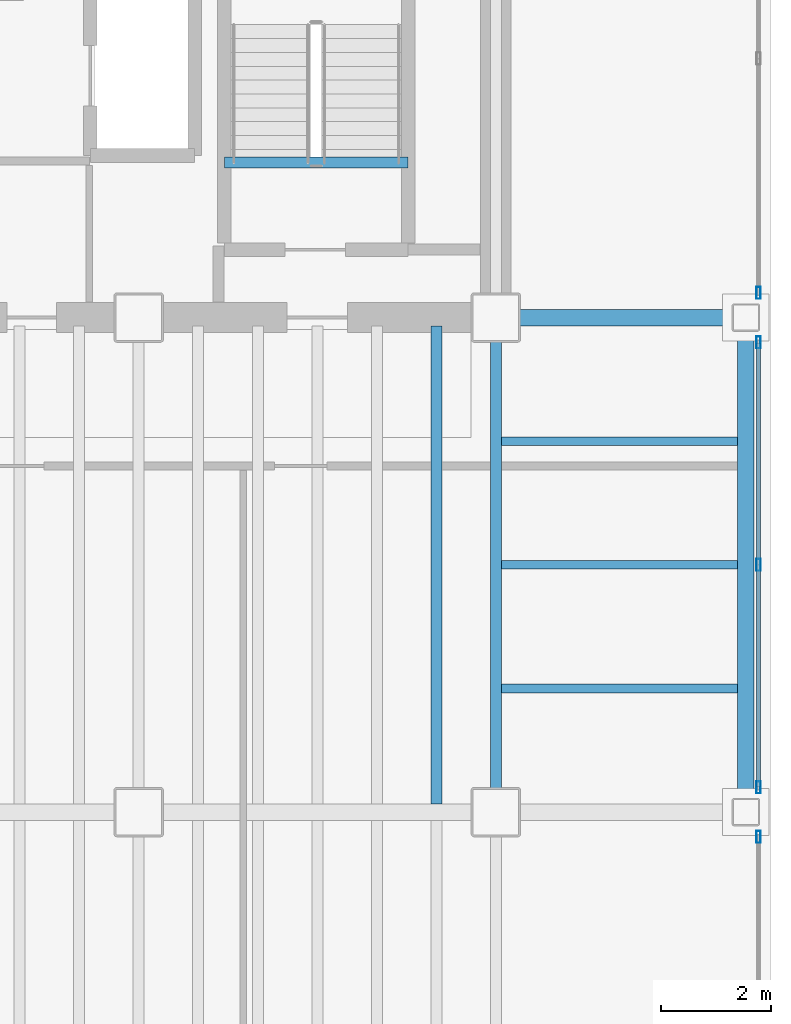
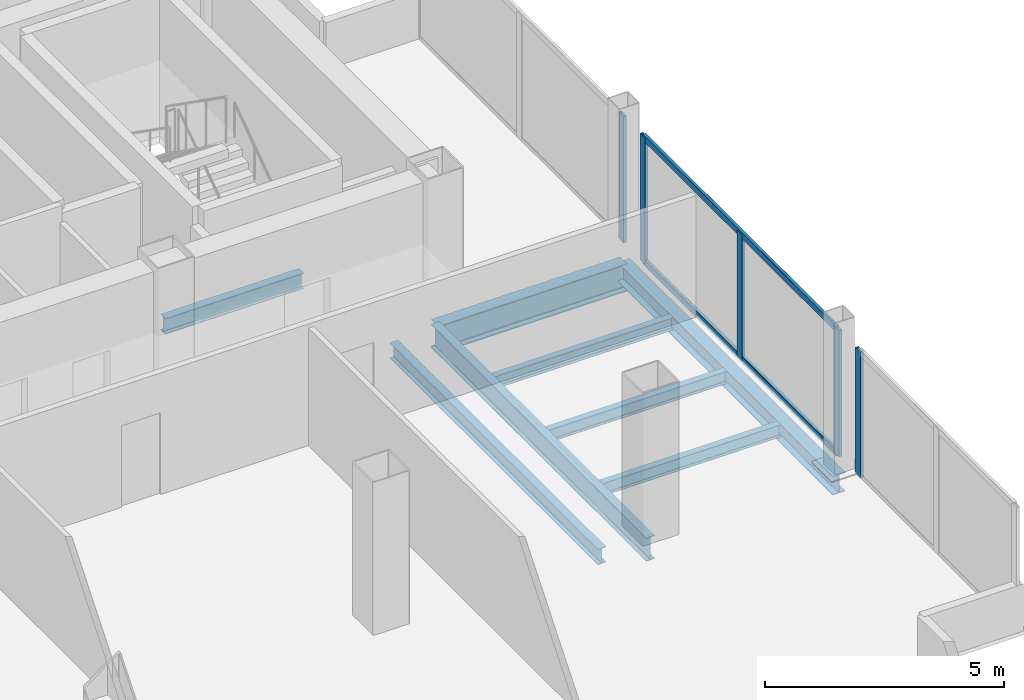
# One storey, part 15 of 20: 8 beams, 7 members, 3 elements without a shape of their own.
"""IFC4 building model written with IfcOpenShell, lengths in metres."""

from ifc_helpers import new_model, si_unit, direction, frame, origin, origin_2d, place, context, subcontext, project, spatial, hollow_rectangle, i_section, extrude, material, material_profile, profile_set, type_object, element, aggregate, save


model = new_model("IFC4")

# Units and contexts
model_context = context("Model", 3, precision=1e-05, world=origin(), true_north=direction((0.0, 1.0)))
body_context = subcontext(model_context, "Body", "Model", "MODEL_VIEW")
ifc_project = project(units=[si_unit("LENGTHUNIT", "METRE"), si_unit("AREAUNIT", "SQUARE_METRE"), si_unit("VOLUMEUNIT", "CUBIC_METRE"), si_unit("PLANEANGLEUNIT", "RADIAN"), si_unit("MASSUNIT", "GRAM", prefix="KILO")], contexts=[model_context])

# Site, building, storey
site_placement = place(None, origin())
site = spatial("IfcSite", under=ifc_project, at=site_placement, CompositionType="ELEMENT")
building_placement = place(site_placement, origin())
building = spatial("IfcBuilding", under=site, at=building_placement, Name="Noeulbin Bourse Tower", CompositionType="ELEMENT")
storey_placement = place(building_placement, frame((0.0, 0.0, 126.60009765625)))
storey = spatial("IfcBuildingStorey", under=building, at=storey_placement, Name="L31", CompositionType="ELEMENT", Elevation=126.60009765625)

# Beams
ifc_material_1 = material(Name="Steel S355", Category="steel")
ifc_material_profile_1 = material_profile(ifc_material_1, i_section(OverallWidth=0.199951171875, OverallDepth=0.60009765625, WebThickness=0.010986328125, FlangeThickness=0.01708984375, FilletRadius=0.02197265625, at=origin_2d()), Name="H-600x200x11x17", Category="LoadBearing")
ifc_profile_set_1 = profile_set([ifc_material_profile_1], Name="Steel S355")
beam_type_1 = type_object("IfcBeamType", Name="BM-GRD-600", PredefinedType="USERDEFINED", material=ifc_profile_set_1)
beam_1_placement = place(storey_placement, frame((44.0, 20.0, -0.47998046875), z_axis=(0.0, 1.0, 0.0), x_axis=(-1.0, 0.0, 0.0)))
element("IfcBeam", 1, at=beam_1_placement, inside=storey, type_object=beam_type_1, Name="Tower Primary Girder NS L31-5.2", ObjectType="GIRDER", PredefinedType="USERDEFINED", context=body_context, shape_type="SweptSolid", body=[
    extrude(i_section(OverallWidth=0.199951171875, OverallDepth=0.60009765625, WebThickness=0.010986328125, FlangeThickness=0.01708984375, FilletRadius=0.02197265625, at=origin_2d()), origin(), (0.0, 0.0, 1.0), 9.0),
])
ifc_material_profile_2 = material_profile(ifc_material_1, i_section(OverallWidth=0.300048828125, OverallDepth=0.699951171875, WebThickness=0.012939453125, FlangeThickness=0.02392578125, FilletRadius=0.02392578125, at=origin_2d()), Name="H-700x300x13x24", Category="LoadBearing")
ifc_profile_set_2 = profile_set([ifc_material_profile_2], Name="Steel S355")
beam_type_2 = type_object("IfcBeamType", Name="BM-GRD-700", PredefinedType="USERDEFINED", material=ifc_profile_set_2)
beam_2_placement = place(storey_placement, frame((44.0, 29.0, -0.530029296875), z_axis=(1.0, 0.0, 0.0), x_axis=(0.0, 1.0, 0.0)))
element("IfcBeam", 2, at=beam_2_placement, inside=storey, type_object=beam_type_2, Name="Tower Primary Girder EW L31-2.6", ObjectType="GIRDER", PredefinedType="USERDEFINED", context=body_context, shape_type="SweptSolid", body=[
    extrude(i_section(OverallWidth=0.300048828125, OverallDepth=0.699951171875, WebThickness=0.012939453125, FlangeThickness=0.02392578125, FilletRadius=0.02392578125, at=origin_2d()), origin(), (0.0, 0.0, 1.0), 4.550048828125),
])
ifc_material_profile_3 = material_profile(ifc_material_1, i_section(OverallWidth=0.159912109375, OverallDepth=0.320068359375, WebThickness=0.006591796875, FlangeThickness=0.010009765625, FilletRadius=0.012939453125, at=origin_2d()), Name="H-320x160x6.5x10", Category="LoadBearing")
ifc_profile_set_3 = profile_set([ifc_material_profile_3], Name="Steel S355")
beam_type_3 = type_object("IfcBeamType", Name="BM-JST-320", PredefinedType="JOIST", material=ifc_profile_set_3)
for number, where, z_axis, x_axis, name in (
    (3, (44.10009765625, 22.25, -0.340087890625), (1.0, 0.0, 0.0), (0.0, 1.0, 0.0), "Wing Composite Joist L31-E50"),
    (4, (44.10009765625, 24.5, -0.340087890625), (1.0, 0.0, 0.0), (0.0, 1.0, 0.0), "Wing Composite Joist L31-E51"),
    (5, (44.10009765625, 26.75, -0.340087890625), (1.0, 0.0, 0.0), (0.0, 1.0, 0.0), "Wing Composite Joist L31-E52"),
):
    element("IfcBeam", number, at=place(storey_placement, frame(where, z_axis=z_axis, x_axis=x_axis)), inside=storey, type_object=beam_type_3, Name=name, PredefinedType="JOIST", context=body_context, shape_type="SweptSolid", body=[
        extrude(i_section(OverallWidth=0.159912109375, OverallDepth=0.320068359375, WebThickness=0.006591796875, FlangeThickness=0.010009765625, FilletRadius=0.012939453125, at=origin_2d()), origin(), (0.0, 0.0, 1.0), 4.2998046875),
    ])
ifc_material_profile_4 = material_profile(ifc_material_1, i_section(OverallWidth=0.199951171875, OverallDepth=0.39990234375, WebThickness=0.008056640625, FlangeThickness=0.012939453125, FilletRadius=0.01611328125, at=origin_2d()), Name="H-400x200x8x13", Category="LoadBearing")
ifc_profile_set_4 = profile_set([ifc_material_profile_4], Name="Steel S355")
beam_type_4 = type_object("IfcBeamType", Name="BM-SEC-400", PredefinedType="BEAM", material=ifc_profile_set_4)
beam_3_placement = place(storey_placement, frame((42.916748046875, 20.14990234375, -0.380126953125), z_axis=(0.0, 1.0, 0.0), x_axis=(-1.0, 0.0, 0.0)))
element("IfcBeam", 6, at=beam_3_placement, inside=storey, type_object=beam_type_4, Name="Tower Composite Joist L31-46", PredefinedType="BEAM", context=body_context, shape_type="SweptSolid", body=[
    extrude(i_section(OverallWidth=0.199951171875, OverallDepth=0.39990234375, WebThickness=0.008056640625, FlangeThickness=0.012939453125, FilletRadius=0.01611328125, at=origin_2d()), origin(), (0.0, 0.0, 1.0), 8.7001953125),
])
beam_4_placement = place(storey_placement, frame((39.06005859375, 31.820068359375, -0.2001953125), z_axis=(1.0, 0.0, 0.0), x_axis=(0.0, 1.0, 0.0)))
element("IfcBeam", 7, at=beam_4_placement, inside=storey, type_object=beam_type_4, Name="Stair Threshold Trimmer Beam ST2-L31", PredefinedType="BEAM", context=body_context, shape_type="SweptSolid", body=[
    extrude(i_section(OverallWidth=0.199951171875, OverallDepth=0.39990234375, WebThickness=0.008056640625, FlangeThickness=0.012939453125, FilletRadius=0.01611328125, at=origin_2d()), origin(), (0.0, 0.0, 1.0), 3.33984375),
])
ifc_material_profile_5 = material_profile(ifc_material_1, i_section(OverallWidth=0.300048828125, OverallDepth=0.488037109375, WebThickness=0.010986328125, FlangeThickness=0.01806640625, FilletRadius=0.02197265625, at=origin_2d()), Name="H-488x300x11x18", Category="LoadBearing")
ifc_profile_set_5 = profile_set([ifc_material_profile_5], Name="Steel S355")
beam_type_5 = type_object("IfcBeamType", Name="BM-SPN-488", PredefinedType="SPANDREL", material=ifc_profile_set_5)
beam_5_placement = place(storey_placement, frame((48.550048828125, 20.0, -0.424072265625), z_axis=(0.0, 1.0, 0.0), x_axis=(-1.0, 0.0, 0.0)))
element("IfcBeam", 8, at=beam_5_placement, inside=storey, type_object=beam_type_5, Name="East Spandrel L31-1", PredefinedType="SPANDREL", context=body_context, shape_type="SweptSolid", body=[
    extrude(i_section(OverallWidth=0.300048828125, OverallDepth=0.488037109375, WebThickness=0.010986328125, FlangeThickness=0.01806640625, FilletRadius=0.02197265625, at=origin_2d()), origin(), (0.0, 0.0, 1.0), 9.0),
])

# Curtain wall, member
ifc_material_2 = material(Name="Dark Tinted Triple Glazing", Category="glass")
curtain_wall_type = type_object("IfcCurtainWallType", Name="CW-SYS-3", PredefinedType="NOTDEFINED", material=ifc_material_2)
curtain_wall_1_placement = place(storey_placement, origin())
curtain_wall_1 = element("IfcCurtainWall", 9, at=curtain_wall_1_placement, inside=storey, type_object=curtain_wall_type, Name="Unitised Curtain Wall CW-L31-E-S1", PredefinedType="NOTDEFINED")
ifc_material_3 = material(Name="Anodised Aluminium 6063-T6", Category="aluminium")
ifc_material_profile_6 = material_profile(ifc_material_3, hollow_rectangle(XDim=0.074951171875, YDim=0.219970703125, WallThickness=0.0048828125, InnerFilletRadius=0.00244140625, OuterFilletRadius=0.0048828125, at=origin_2d()), Name="ALU-MULL-75x220x5", Category="LoadBearing")
ifc_profile_set_6 = profile_set([ifc_material_profile_6], Name="Anodised Aluminium 6063-T6")
member_type_1 = type_object("IfcMemberType", Name="CW-SYS-3-MUL", PredefinedType="MULLION", material=ifc_profile_set_6)
member_1_placement = place(storey_placement, frame((48.780029296875, 19.550048828125, -0.02001953125), z_axis=(0.0, 0.0, 1.0), x_axis=(1.0, 0.0, 0.0)))
member_1 = element("IfcMember", 10, at=member_1_placement, type_object=member_type_1, Name="Curtain Wall Mullion CW-L31-E-S1-M02", PredefinedType="MULLION", context=body_context, shape_type="SweptSolid", body=[
    extrude(hollow_rectangle(XDim=0.074951171875, YDim=0.219970703125, WallThickness=0.0048828125, InnerFilletRadius=0.00244140625, OuterFilletRadius=0.0048828125, at=origin_2d()), origin(), (0.0, 0.0, 1.0), 3.219970703125),
])
aggregate(curtain_wall_1, [member_1])

# Curtain wall, members
curtain_wall_2_placement = place(storey_placement, origin())
curtain_wall_2 = element("IfcCurtainWall", 11, at=curtain_wall_2_placement, inside=storey, type_object=curtain_wall_type, Name="Unitised Curtain Wall CW-L31-E-S2", PredefinedType="NOTDEFINED")
member_2_placement = place(storey_placement, frame((48.780029296875, 20.449951171875, -0.02001953125), z_axis=(0.0, 0.0, 1.0), x_axis=(1.0, 0.0, 0.0)))
member_2 = element("IfcMember", 12, at=member_2_placement, type_object=member_type_1, Name="Curtain Wall Mullion CW-L31-E-S2-M00", PredefinedType="MULLION", context=body_context, shape_type="SweptSolid", body=[
    extrude(hollow_rectangle(XDim=0.074951171875, YDim=0.219970703125, WallThickness=0.0048828125, InnerFilletRadius=0.00244140625, OuterFilletRadius=0.0048828125, at=origin_2d()), origin(), (0.0, 0.0, 1.0), 3.219970703125),
])
member_3_placement = place(storey_placement, frame((48.780029296875, 24.5, -0.02001953125), z_axis=(0.0, 0.0, 1.0), x_axis=(1.0, 0.0, 0.0)))
member_3 = element("IfcMember", 13, at=member_3_placement, type_object=member_type_1, Name="Curtain Wall Mullion CW-L31-E-S2-M01", PredefinedType="MULLION", context=body_context, shape_type="SweptSolid", body=[
    extrude(hollow_rectangle(XDim=0.074951171875, YDim=0.219970703125, WallThickness=0.0048828125, InnerFilletRadius=0.00244140625, OuterFilletRadius=0.0048828125, at=origin_2d()), origin(), (0.0, 0.0, 1.0), 3.219970703125),
])
member_4_placement = place(storey_placement, frame((48.780029296875, 28.550048828125, -0.02001953125), z_axis=(0.0, 0.0, 1.0), x_axis=(1.0, 0.0, 0.0)))
member_4 = element("IfcMember", 14, at=member_4_placement, type_object=member_type_1, Name="Curtain Wall Mullion CW-L31-E-S2-M02", PredefinedType="MULLION", context=body_context, shape_type="SweptSolid", body=[
    extrude(hollow_rectangle(XDim=0.074951171875, YDim=0.219970703125, WallThickness=0.0048828125, InnerFilletRadius=0.00244140625, OuterFilletRadius=0.0048828125, at=origin_2d()), origin(), (0.0, 0.0, 1.0), 3.219970703125),
])

# Curtain wall, member
curtain_wall_3_placement = place(storey_placement, origin())
curtain_wall_3 = element("IfcCurtainWall", 15, at=curtain_wall_3_placement, inside=storey, type_object=curtain_wall_type, Name="Unitised Curtain Wall CW-L31-E-S3", PredefinedType="NOTDEFINED")
member_5_placement = place(storey_placement, frame((48.780029296875, 29.449951171875, -0.02001953125), z_axis=(0.0, 0.0, 1.0), x_axis=(1.0, 0.0, 0.0)))
member_5 = element("IfcMember", 16, at=member_5_placement, type_object=member_type_1, Name="Curtain Wall Mullion CW-L31-E-S3-M00", PredefinedType="MULLION", context=body_context, shape_type="SweptSolid", body=[
    extrude(hollow_rectangle(XDim=0.074951171875, YDim=0.219970703125, WallThickness=0.0048828125, InnerFilletRadius=0.00244140625, OuterFilletRadius=0.0048828125, at=origin_2d()), origin(), (0.0, 0.0, 1.0), 3.219970703125),
])
aggregate(curtain_wall_3, [member_5])

# Member
ifc_material_profile_7 = material_profile(ifc_material_3, hollow_rectangle(XDim=0.074951171875, YDim=0.159912109375, WallThickness=0.0048828125, InnerFilletRadius=0.00244140625, OuterFilletRadius=0.0048828125, at=origin_2d()), Name="ALU-TRAN-75x160x5", Category="LoadBearing")
ifc_profile_set_7 = profile_set([ifc_material_profile_7], Name="Anodised Aluminium 6063-T6")
member_type_2 = type_object("IfcMemberType", Name="CW-SYS-3-TRN", PredefinedType="USERDEFINED", material=ifc_profile_set_7)
member_6_placement = place(storey_placement, frame((48.780029296875, 20.4599609375, 0.010009765625), z_axis=(0.0, 1.0, 0.0), x_axis=(-1.0, 0.0, 0.0)))
member_6 = element("IfcMember", 17, at=member_6_placement, type_object=member_type_2, Name="Curtain Wall Transom CW-L31-E-S2-T00", ObjectType="TRANSOM", PredefinedType="USERDEFINED", context=body_context, shape_type="SweptSolid", body=[
    extrude(hollow_rectangle(XDim=0.074951171875, YDim=0.159912109375, WallThickness=0.0048828125, InnerFilletRadius=0.00244140625, OuterFilletRadius=0.0048828125, at=origin_2d()), origin(), (0.0, 0.0, 1.0), 8.080078125),
])

member_7_placement = place(storey_placement, frame((48.780029296875, 20.4599609375, 3.169921875), z_axis=(0.0, 1.0, 0.0), x_axis=(-1.0, 0.0, 0.0)))
member_7 = element("IfcMember", 18, at=member_7_placement, type_object=member_type_2, Name="Curtain Wall Transom CW-L31-E-S2-T01", ObjectType="TRANSOM", PredefinedType="USERDEFINED", context=body_context, shape_type="SweptSolid", body=[
    extrude(hollow_rectangle(XDim=0.074951171875, YDim=0.159912109375, WallThickness=0.0048828125, InnerFilletRadius=0.00244140625, OuterFilletRadius=0.0048828125, at=origin_2d()), origin(), (0.0, 0.0, 1.0), 8.080078125),
])

aggregate(curtain_wall_2, [member_2, member_3, member_4, member_6, member_7])

save(model, "model.ifc")
